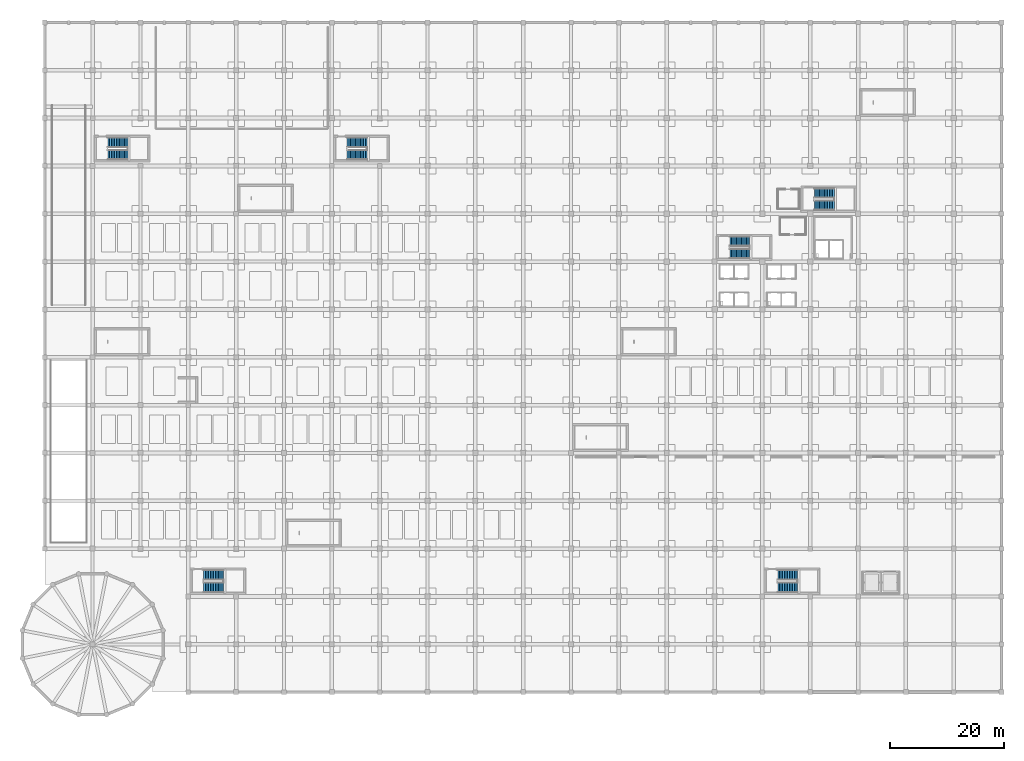
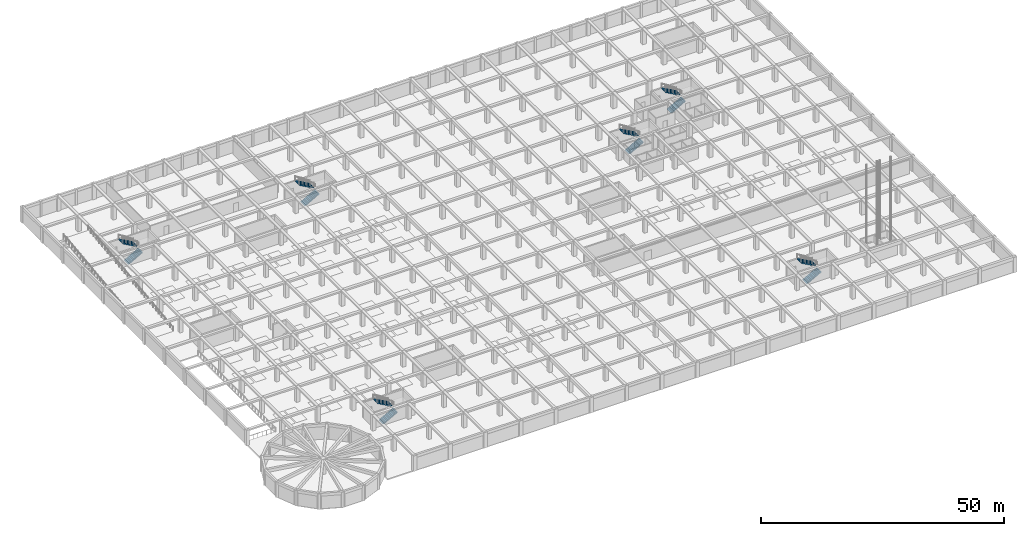
# One storey, part 21 of 32: 12 stair flights, 6 elements without a shape of their own.
"""IFC4 building model written with IfcOpenShell, lengths in metres."""

from ifc_helpers import new_model, si_unit, direction, frame, origin, place, context, subcontext, project, spatial, polyline, outline, extrude, material, layer, layer_set, type_object, element, aggregate, save


model = new_model("IFC4")

# Units and contexts
model_context = context("Model", 3, precision=1e-05, world=origin(), true_north=direction((0.0, 1.0)))
body_context = subcontext(model_context, "Body", "Model", "MODEL_VIEW")
ifc_project = project(units=[si_unit("LENGTHUNIT", "METRE"), si_unit("AREAUNIT", "SQUARE_METRE"), si_unit("VOLUMEUNIT", "CUBIC_METRE"), si_unit("PLANEANGLEUNIT", "RADIAN"), si_unit("MASSUNIT", "GRAM", prefix="KILO")], contexts=[model_context])

# Site, building, storey
site_placement = place(None, origin())
site = spatial("IfcSite", under=ifc_project, at=site_placement, CompositionType="ELEMENT")
building_placement = place(site_placement, origin())
building = spatial("IfcBuilding", under=site, at=building_placement, Name="Almacenes y Pasaje Nevantli", CompositionType="ELEMENT")
storey_placement = place(building_placement, frame((0.0, 0.0, -4.199951171875)))
storey = spatial("IfcBuildingStorey", under=building, at=storey_placement, Name="B01", CompositionType="ELEMENT", Elevation=-4.199951171875)

# Stair, stair flights
ifc_material_1 = material(Name="Concrete C35/45", Category="concrete")
stair_type_1 = type_object("IfcStairType", Name="STR-CORE-1720", PredefinedType="HALF_TURN_STAIR", material=ifc_material_1)
stair_1_placement = place(storey_placement, origin())
stair_1 = element("IfcStair", 1, at=stair_1_placement, inside=storey, type_object=stair_type_1, Name="B01 Staircase ST-01", PredefinedType="HALF_TURN_STAIR")
ifc_material_2 = material(Name="Concrete C35/45", Category="concrete")
ifc_layer = layer(ifc_material_2, 0.199951171875)
ifc_layer_set = layer_set([ifc_layer], Name="Concrete C35/45")
stair_flight_type = type_object("IfcStairFlightType", Name="SFL-RC-200", PredefinedType="STRAIGHT", material=ifc_layer_set)
stair_flight_1_placement = place(storey_placement, frame((120.300048828125, 77.010009765625, 0.0), z_axis=(0.0, 0.0, 1.0), x_axis=(1.0, 0.0, 0.0)))
stair_flight_1 = element("IfcStairFlight", 2, at=stair_flight_1_placement, type_object=stair_flight_type, Name="ST-01-B01 flight 1", NumberOfRisers=13, NumberOfTreads=12, PredefinedType="STRAIGHT", RiserHeight=0.161538, TreadLength=0.29, context=body_context, shape_type="SweptSolid", body=[
    extrude(outline(polyline([(0.0, 0.0), (0.0, 0.16162109375), (0.2900390625, 0.16162109375), (0.2900390625, 0.322998046875), (0.580078125, 0.322998046875), (0.580078125, 0.484619140625), (0.8701171875, 0.484619140625), (0.8701171875, 0.646240234375), (1.159912109375, 0.646240234375), (1.159912109375, 0.8076171875), (1.449951171875, 0.8076171875), (1.449951171875, 0.96923828125), (1.739990234375, 0.96923828125), (1.739990234375, 1.130859375), (2.030029296875, 1.130859375), (2.030029296875, 1.292236328125), (2.320068359375, 1.292236328125), (2.320068359375, 1.453857421875), (2.610107421875, 1.453857421875), (2.610107421875, 1.615478515625), (2.89990234375, 1.615478515625), (2.89990234375, 1.77685546875), (3.18994140625, 1.77685546875), (3.18994140625, 1.9384765625), (3.47998046875, 1.9384765625), (3.47998046875, 2.10009765625), (3.47998046875, 1.70947265625), (0.410888671875, 0.0), (0.0, 0.0)])), frame((0.0, 0.85986328125, 0.0), z_axis=(0.0, -1.0, 0.0), x_axis=(1.0, 0.0, 0.0)), (0.0, 0.0, 1.0), 1.719970703125),
])
stair_flight_2_placement = place(storey_placement, frame((123.780029296875, 79.179931640625, 2.099853515625), z_axis=(0.0, 0.0, 1.0), x_axis=(-1.0, 0.0, 0.0)))
stair_flight_2 = element("IfcStairFlight", 3, at=stair_flight_2_placement, type_object=stair_flight_type, Name="ST-01-B01 flight 2", NumberOfRisers=13, NumberOfTreads=12, PredefinedType="STRAIGHT", RiserHeight=0.161538, TreadLength=0.29, context=body_context, shape_type="SweptSolid", body=[
    extrude(outline(polyline([(0.0, 0.0), (0.0, 0.16162109375), (0.2900390625, 0.16162109375), (0.2900390625, 0.322998046875), (0.580078125, 0.322998046875), (0.580078125, 0.484619140625), (0.8701171875, 0.484619140625), (0.8701171875, 0.646240234375), (1.159912109375, 0.646240234375), (1.159912109375, 0.8076171875), (1.449951171875, 0.8076171875), (1.449951171875, 0.96923828125), (1.739990234375, 0.96923828125), (1.739990234375, 1.130859375), (2.030029296875, 1.130859375), (2.030029296875, 1.292236328125), (2.320068359375, 1.292236328125), (2.320068359375, 1.453857421875), (2.610107421875, 1.453857421875), (2.610107421875, 1.615478515625), (2.89990234375, 1.615478515625), (2.89990234375, 1.77685546875), (3.18994140625, 1.77685546875), (3.18994140625, 1.9384765625), (3.47998046875, 1.9384765625), (3.47998046875, 2.10009765625), (3.47998046875, 1.70947265625), (0.410888671875, 0.0), (0.0, 0.0)])), frame((0.0, 0.85986328125, 0.0), z_axis=(0.0, -1.0, 0.0), x_axis=(1.0, 0.0, 0.0)), (0.0, 0.0, 1.0), 1.719970703125),
])
aggregate(stair_1, [stair_flight_1, stair_flight_2])

stair_2_placement = place(storey_placement, origin())
stair_2 = element("IfcStair", 4, at=stair_2_placement, inside=storey, type_object=stair_type_1, Name="B01 Staircase ST-02", PredefinedType="HALF_TURN_STAIR")
stair_flight_3_placement = place(storey_placement, frame((135.14990234375, 85.4599609375, 0.0), z_axis=(0.0, 0.0, 1.0), x_axis=(1.0, 0.0, 0.0)))
stair_flight_3 = element("IfcStairFlight", 5, at=stair_flight_3_placement, type_object=stair_flight_type, Name="ST-02-B01 flight 1", NumberOfRisers=13, NumberOfTreads=12, PredefinedType="STRAIGHT", RiserHeight=0.161538, TreadLength=0.29, context=body_context, shape_type="SweptSolid", body=[
    extrude(outline(polyline([(0.0, 0.0), (0.0, 0.16162109375), (0.2900390625, 0.16162109375), (0.2900390625, 0.322998046875), (0.580078125, 0.322998046875), (0.580078125, 0.484619140625), (0.8701171875, 0.484619140625), (0.8701171875, 0.646240234375), (1.159912109375, 0.646240234375), (1.159912109375, 0.8076171875), (1.449951171875, 0.8076171875), (1.449951171875, 0.96923828125), (1.739990234375, 0.96923828125), (1.739990234375, 1.130859375), (2.030029296875, 1.130859375), (2.030029296875, 1.292236328125), (2.320068359375, 1.292236328125), (2.320068359375, 1.453857421875), (2.610107421875, 1.453857421875), (2.610107421875, 1.615478515625), (2.89990234375, 1.615478515625), (2.89990234375, 1.77685546875), (3.18994140625, 1.77685546875), (3.18994140625, 1.9384765625), (3.47998046875, 1.9384765625), (3.47998046875, 2.10009765625), (3.47998046875, 1.70947265625), (0.410888671875, 0.0), (0.0, 0.0)])), frame((0.0, 0.85986328125, 0.0), z_axis=(0.0, -1.0, 0.0), x_axis=(1.0, 0.0, 0.0)), (0.0, 0.0, 1.0), 1.719970703125),
])
stair_flight_4_placement = place(storey_placement, frame((138.6298828125, 87.6298828125, 2.099853515625), z_axis=(0.0, 0.0, 1.0), x_axis=(-1.0, 0.0, 0.0)))
stair_flight_4 = element("IfcStairFlight", 6, at=stair_flight_4_placement, type_object=stair_flight_type, Name="ST-02-B01 flight 2", NumberOfRisers=13, NumberOfTreads=12, PredefinedType="STRAIGHT", RiserHeight=0.161538, TreadLength=0.29, context=body_context, shape_type="SweptSolid", body=[
    extrude(outline(polyline([(0.0, 0.0), (0.0, 0.16162109375), (0.2900390625, 0.16162109375), (0.2900390625, 0.322998046875), (0.580078125, 0.322998046875), (0.580078125, 0.484619140625), (0.8701171875, 0.484619140625), (0.8701171875, 0.646240234375), (1.159912109375, 0.646240234375), (1.159912109375, 0.8076171875), (1.449951171875, 0.8076171875), (1.449951171875, 0.96923828125), (1.739990234375, 0.96923828125), (1.739990234375, 1.130859375), (2.030029296875, 1.130859375), (2.030029296875, 1.292236328125), (2.320068359375, 1.292236328125), (2.320068359375, 1.453857421875), (2.610107421875, 1.453857421875), (2.610107421875, 1.615478515625), (2.89990234375, 1.615478515625), (2.89990234375, 1.77685546875), (3.18994140625, 1.77685546875), (3.18994140625, 1.9384765625), (3.47998046875, 1.9384765625), (3.47998046875, 2.10009765625), (3.47998046875, 1.70947265625), (0.410888671875, 0.0), (0.0, 0.0)])), frame((0.0, 0.85986328125, 0.0), z_axis=(0.0, -1.0, 0.0), x_axis=(1.0, 0.0, 0.0)), (0.0, 0.0, 1.0), 1.719970703125),
])
aggregate(stair_2, [stair_flight_3, stair_flight_4])

ifc_material_3 = material(Name="Concrete C35/45", Category="concrete")
stair_type_2 = type_object("IfcStairType", Name="STR-CORE-1750", PredefinedType="HALF_TURN_STAIR", material=ifc_material_3)
stair_3_placement = place(storey_placement, origin())
stair_3 = element("IfcStair", 7, at=stair_3_placement, inside=storey, type_object=stair_type_2, Name="B01 Staircase ST-03", PredefinedType="HALF_TURN_STAIR")
stair_flight_5_placement = place(storey_placement, frame((11.10009765625, 94.324951171875, 0.0), z_axis=(0.0, 0.0, 1.0), x_axis=(1.0, 0.0, 0.0)))
stair_flight_5 = element("IfcStairFlight", 8, at=stair_flight_5_placement, type_object=stair_flight_type, Name="ST-03-B01 flight 1", NumberOfRisers=13, NumberOfTreads=12, PredefinedType="STRAIGHT", RiserHeight=0.161538, TreadLength=0.29, context=body_context, shape_type="SweptSolid", body=[
    extrude(outline(polyline([(0.0, 0.0), (0.0, 0.16162109375), (0.2900390625, 0.16162109375), (0.2900390625, 0.322998046875), (0.580078125, 0.322998046875), (0.580078125, 0.484619140625), (0.8701171875, 0.484619140625), (0.8701171875, 0.646240234375), (1.159912109375, 0.646240234375), (1.159912109375, 0.8076171875), (1.449951171875, 0.8076171875), (1.449951171875, 0.96923828125), (1.739990234375, 0.96923828125), (1.739990234375, 1.130859375), (2.030029296875, 1.130859375), (2.030029296875, 1.292236328125), (2.320068359375, 1.292236328125), (2.320068359375, 1.453857421875), (2.610107421875, 1.453857421875), (2.610107421875, 1.615478515625), (2.89990234375, 1.615478515625), (2.89990234375, 1.77685546875), (3.18994140625, 1.77685546875), (3.18994140625, 1.9384765625), (3.47998046875, 1.9384765625), (3.47998046875, 2.10009765625), (3.47998046875, 1.70947265625), (0.410888671875, 0.0), (0.0, 0.0)])), frame((0.0, 0.875, 0.0), z_axis=(0.0, -1.0, 0.0), x_axis=(1.0, 0.0, 0.0)), (0.0, 0.0, 1.0), 1.75),
])
stair_flight_6_placement = place(storey_placement, frame((14.580078125, 96.52490234375, 2.099853515625), z_axis=(0.0, 0.0, 1.0), x_axis=(-1.0, 0.0, 0.0)))
stair_flight_6 = element("IfcStairFlight", 9, at=stair_flight_6_placement, type_object=stair_flight_type, Name="ST-03-B01 flight 2", NumberOfRisers=13, NumberOfTreads=12, PredefinedType="STRAIGHT", RiserHeight=0.161538, TreadLength=0.29, context=body_context, shape_type="SweptSolid", body=[
    extrude(outline(polyline([(0.0, 0.0), (0.0, 0.16162109375), (0.2900390625, 0.16162109375), (0.2900390625, 0.322998046875), (0.580078125, 0.322998046875), (0.580078125, 0.484619140625), (0.8701171875, 0.484619140625), (0.8701171875, 0.646240234375), (1.159912109375, 0.646240234375), (1.159912109375, 0.8076171875), (1.449951171875, 0.8076171875), (1.449951171875, 0.96923828125), (1.739990234375, 0.96923828125), (1.739990234375, 1.130859375), (2.030029296875, 1.130859375), (2.030029296875, 1.292236328125), (2.320068359375, 1.292236328125), (2.320068359375, 1.453857421875), (2.610107421875, 1.453857421875), (2.610107421875, 1.615478515625), (2.89990234375, 1.615478515625), (2.89990234375, 1.77685546875), (3.18994140625, 1.77685546875), (3.18994140625, 1.9384765625), (3.47998046875, 1.9384765625), (3.47998046875, 2.10009765625), (3.47998046875, 1.70947265625), (0.410888671875, 0.0), (0.0, 0.0)])), frame((0.0, 0.875, 0.0), z_axis=(0.0, -1.0, 0.0), x_axis=(1.0, 0.0, 0.0)), (0.0, 0.0, 1.0), 1.75),
])
aggregate(stair_3, [stair_flight_5, stair_flight_6])

stair_4_placement = place(storey_placement, origin())
stair_4 = element("IfcStair", 10, at=stair_4_placement, inside=storey, type_object=stair_type_2, Name="B01 Staircase ST-04", PredefinedType="HALF_TURN_STAIR")
stair_flight_7_placement = place(storey_placement, frame((27.89990234375, 18.375, 0.0), z_axis=(0.0, 0.0, 1.0), x_axis=(1.0, 0.0, 0.0)))
stair_flight_7 = element("IfcStairFlight", 11, at=stair_flight_7_placement, type_object=stair_flight_type, Name="ST-04-B01 flight 1", NumberOfRisers=13, NumberOfTreads=12, PredefinedType="STRAIGHT", RiserHeight=0.161538, TreadLength=0.29, context=body_context, shape_type="SweptSolid", body=[
    extrude(outline(polyline([(0.0, 0.0), (0.0, 0.16162109375), (0.2900390625, 0.16162109375), (0.2900390625, 0.322998046875), (0.580078125, 0.322998046875), (0.580078125, 0.484619140625), (0.8701171875, 0.484619140625), (0.8701171875, 0.646240234375), (1.159912109375, 0.646240234375), (1.159912109375, 0.8076171875), (1.449951171875, 0.8076171875), (1.449951171875, 0.96923828125), (1.739990234375, 0.96923828125), (1.739990234375, 1.130859375), (2.030029296875, 1.130859375), (2.030029296875, 1.292236328125), (2.320068359375, 1.292236328125), (2.320068359375, 1.453857421875), (2.610107421875, 1.453857421875), (2.610107421875, 1.615478515625), (2.89990234375, 1.615478515625), (2.89990234375, 1.77685546875), (3.18994140625, 1.77685546875), (3.18994140625, 1.9384765625), (3.47998046875, 1.9384765625), (3.47998046875, 2.10009765625), (3.47998046875, 1.70947265625), (0.410888671875, 0.0), (0.0, 0.0)])), frame((0.0, 0.875, 0.0), z_axis=(0.0, -1.0, 0.0), x_axis=(1.0, 0.0, 0.0)), (0.0, 0.0, 1.0), 1.75),
])
stair_flight_8_placement = place(storey_placement, frame((31.3798828125, 20.574951171875, 2.099853515625), z_axis=(0.0, 0.0, 1.0), x_axis=(-1.0, 0.0, 0.0)))
stair_flight_8 = element("IfcStairFlight", 12, at=stair_flight_8_placement, type_object=stair_flight_type, Name="ST-04-B01 flight 2", NumberOfRisers=13, NumberOfTreads=12, PredefinedType="STRAIGHT", RiserHeight=0.161538, TreadLength=0.29, context=body_context, shape_type="SweptSolid", body=[
    extrude(outline(polyline([(0.0, 0.0), (0.0, 0.16162109375), (0.2900390625, 0.16162109375), (0.2900390625, 0.322998046875), (0.580078125, 0.322998046875), (0.580078125, 0.484619140625), (0.8701171875, 0.484619140625), (0.8701171875, 0.646240234375), (1.159912109375, 0.646240234375), (1.159912109375, 0.8076171875), (1.449951171875, 0.8076171875), (1.449951171875, 0.96923828125), (1.739990234375, 0.96923828125), (1.739990234375, 1.130859375), (2.030029296875, 1.130859375), (2.030029296875, 1.292236328125), (2.320068359375, 1.292236328125), (2.320068359375, 1.453857421875), (2.610107421875, 1.453857421875), (2.610107421875, 1.615478515625), (2.89990234375, 1.615478515625), (2.89990234375, 1.77685546875), (3.18994140625, 1.77685546875), (3.18994140625, 1.9384765625), (3.47998046875, 1.9384765625), (3.47998046875, 2.10009765625), (3.47998046875, 1.70947265625), (0.410888671875, 0.0), (0.0, 0.0)])), frame((0.0, 0.875, 0.0), z_axis=(0.0, -1.0, 0.0), x_axis=(1.0, 0.0, 0.0)), (0.0, 0.0, 1.0), 1.75),
])
aggregate(stair_4, [stair_flight_7, stair_flight_8])

stair_5_placement = place(storey_placement, origin())
stair_5 = element("IfcStair", 13, at=stair_5_placement, inside=storey, type_object=stair_type_2, Name="B01 Staircase ST-05", PredefinedType="HALF_TURN_STAIR")
stair_flight_9_placement = place(storey_placement, frame((53.10009765625, 94.324951171875, 0.0), z_axis=(0.0, 0.0, 1.0), x_axis=(1.0, 0.0, 0.0)))
stair_flight_9 = element("IfcStairFlight", 14, at=stair_flight_9_placement, type_object=stair_flight_type, Name="ST-05-B01 flight 1", NumberOfRisers=13, NumberOfTreads=12, PredefinedType="STRAIGHT", RiserHeight=0.161538, TreadLength=0.29, context=body_context, shape_type="SweptSolid", body=[
    extrude(outline(polyline([(0.0, 0.0), (0.0, 0.16162109375), (0.2900390625, 0.16162109375), (0.2900390625, 0.322998046875), (0.580078125, 0.322998046875), (0.580078125, 0.484619140625), (0.8701171875, 0.484619140625), (0.8701171875, 0.646240234375), (1.159912109375, 0.646240234375), (1.159912109375, 0.8076171875), (1.449951171875, 0.8076171875), (1.449951171875, 0.96923828125), (1.739990234375, 0.96923828125), (1.739990234375, 1.130859375), (2.030029296875, 1.130859375), (2.030029296875, 1.292236328125), (2.320068359375, 1.292236328125), (2.320068359375, 1.453857421875), (2.610107421875, 1.453857421875), (2.610107421875, 1.615478515625), (2.89990234375, 1.615478515625), (2.89990234375, 1.77685546875), (3.18994140625, 1.77685546875), (3.18994140625, 1.9384765625), (3.47998046875, 1.9384765625), (3.47998046875, 2.10009765625), (3.47998046875, 1.70947265625), (0.410888671875, 0.0), (0.0, 0.0)])), frame((0.0, 0.875, 0.0), z_axis=(0.0, -1.0, 0.0), x_axis=(1.0, 0.0, 0.0)), (0.0, 0.0, 1.0), 1.75),
])
stair_flight_10_placement = place(storey_placement, frame((56.580078125, 96.52490234375, 2.099853515625), z_axis=(0.0, 0.0, 1.0), x_axis=(-1.0, 0.0, 0.0)))
stair_flight_10 = element("IfcStairFlight", 15, at=stair_flight_10_placement, type_object=stair_flight_type, Name="ST-05-B01 flight 2", NumberOfRisers=13, NumberOfTreads=12, PredefinedType="STRAIGHT", RiserHeight=0.161538, TreadLength=0.29, context=body_context, shape_type="SweptSolid", body=[
    extrude(outline(polyline([(0.0, 0.0), (0.0, 0.16162109375), (0.2900390625, 0.16162109375), (0.2900390625, 0.322998046875), (0.580078125, 0.322998046875), (0.580078125, 0.484619140625), (0.8701171875, 0.484619140625), (0.8701171875, 0.646240234375), (1.159912109375, 0.646240234375), (1.159912109375, 0.8076171875), (1.449951171875, 0.8076171875), (1.449951171875, 0.96923828125), (1.739990234375, 0.96923828125), (1.739990234375, 1.130859375), (2.030029296875, 1.130859375), (2.030029296875, 1.292236328125), (2.320068359375, 1.292236328125), (2.320068359375, 1.453857421875), (2.610107421875, 1.453857421875), (2.610107421875, 1.615478515625), (2.89990234375, 1.615478515625), (2.89990234375, 1.77685546875), (3.18994140625, 1.77685546875), (3.18994140625, 1.9384765625), (3.47998046875, 1.9384765625), (3.47998046875, 2.10009765625), (3.47998046875, 1.70947265625), (0.410888671875, 0.0), (0.0, 0.0)])), frame((0.0, 0.875, 0.0), z_axis=(0.0, -1.0, 0.0), x_axis=(1.0, 0.0, 0.0)), (0.0, 0.0, 1.0), 1.75),
])
aggregate(stair_5, [stair_flight_9, stair_flight_10])

stair_6_placement = place(storey_placement, origin())
stair_6 = element("IfcStair", 16, at=stair_6_placement, inside=storey, type_object=stair_type_2, Name="B01 Staircase ST-06", PredefinedType="HALF_TURN_STAIR")
stair_flight_11_placement = place(storey_placement, frame((128.699951171875, 18.375, 0.0), z_axis=(0.0, 0.0, 1.0), x_axis=(1.0, 0.0, 0.0)))
stair_flight_11 = element("IfcStairFlight", 17, at=stair_flight_11_placement, type_object=stair_flight_type, Name="ST-06-B01 flight 1", NumberOfRisers=13, NumberOfTreads=12, PredefinedType="STRAIGHT", RiserHeight=0.161538, TreadLength=0.29, context=body_context, shape_type="SweptSolid", body=[
    extrude(outline(polyline([(0.0, 0.0), (0.0, 0.16162109375), (0.2900390625, 0.16162109375), (0.2900390625, 0.322998046875), (0.580078125, 0.322998046875), (0.580078125, 0.484619140625), (0.8701171875, 0.484619140625), (0.8701171875, 0.646240234375), (1.159912109375, 0.646240234375), (1.159912109375, 0.8076171875), (1.449951171875, 0.8076171875), (1.449951171875, 0.96923828125), (1.739990234375, 0.96923828125), (1.739990234375, 1.130859375), (2.030029296875, 1.130859375), (2.030029296875, 1.292236328125), (2.320068359375, 1.292236328125), (2.320068359375, 1.453857421875), (2.610107421875, 1.453857421875), (2.610107421875, 1.615478515625), (2.89990234375, 1.615478515625), (2.89990234375, 1.77685546875), (3.18994140625, 1.77685546875), (3.18994140625, 1.9384765625), (3.47998046875, 1.9384765625), (3.47998046875, 2.10009765625), (3.47998046875, 1.70947265625), (0.410888671875, 0.0), (0.0, 0.0)])), frame((0.0, 0.875, 0.0), z_axis=(0.0, -1.0, 0.0), x_axis=(1.0, 0.0, 0.0)), (0.0, 0.0, 1.0), 1.75),
])
stair_flight_12_placement = place(storey_placement, frame((132.179931640625, 20.574951171875, 2.099853515625), z_axis=(0.0, 0.0, 1.0), x_axis=(-1.0, 0.0, 0.0)))
stair_flight_12 = element("IfcStairFlight", 18, at=stair_flight_12_placement, type_object=stair_flight_type, Name="ST-06-B01 flight 2", NumberOfRisers=13, NumberOfTreads=12, PredefinedType="STRAIGHT", RiserHeight=0.161538, TreadLength=0.29, context=body_context, shape_type="SweptSolid", body=[
    extrude(outline(polyline([(0.0, 0.0), (0.0, 0.16162109375), (0.2900390625, 0.16162109375), (0.2900390625, 0.322998046875), (0.580078125, 0.322998046875), (0.580078125, 0.484619140625), (0.8701171875, 0.484619140625), (0.8701171875, 0.646240234375), (1.159912109375, 0.646240234375), (1.159912109375, 0.8076171875), (1.449951171875, 0.8076171875), (1.449951171875, 0.96923828125), (1.739990234375, 0.96923828125), (1.739990234375, 1.130859375), (2.030029296875, 1.130859375), (2.030029296875, 1.292236328125), (2.320068359375, 1.292236328125), (2.320068359375, 1.453857421875), (2.610107421875, 1.453857421875), (2.610107421875, 1.615478515625), (2.89990234375, 1.615478515625), (2.89990234375, 1.77685546875), (3.18994140625, 1.77685546875), (3.18994140625, 1.9384765625), (3.47998046875, 1.9384765625), (3.47998046875, 2.10009765625), (3.47998046875, 1.70947265625), (0.410888671875, 0.0), (0.0, 0.0)])), frame((0.0, 0.875, 0.0), z_axis=(0.0, -1.0, 0.0), x_axis=(1.0, 0.0, 0.0)), (0.0, 0.0, 1.0), 1.75),
])
aggregate(stair_6, [stair_flight_11, stair_flight_12])

save(model, "model.ifc")
